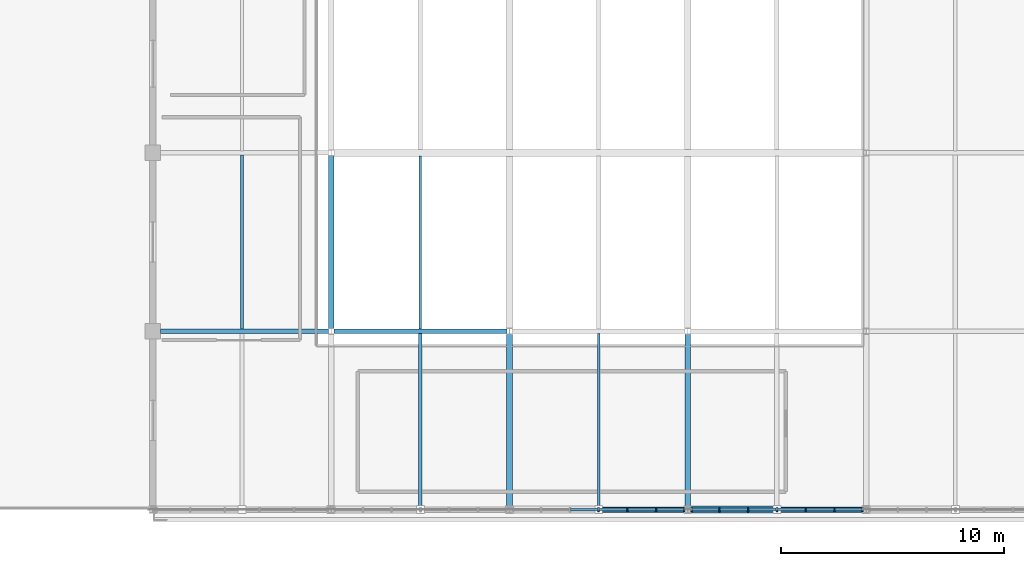
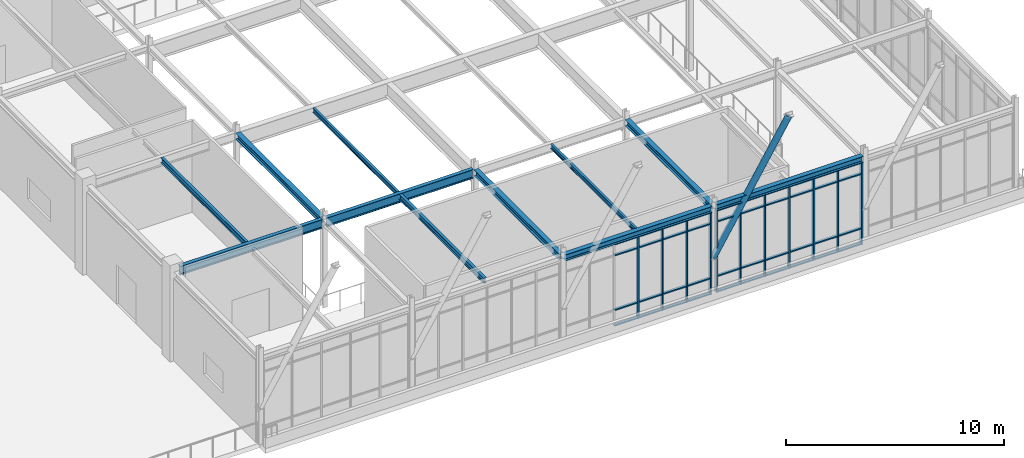
# One storey, part 49 of 108: 52 members, 11 beams, 2 elements without a shape of their own.
"""IFC4 building model written with IfcOpenShell, lengths in metres."""

from ifc_helpers import new_model, si_unit, direction, frame, origin, origin_2d, place, context, subcontext, project, spatial, rectangle, hollow_circle, i_section, extrude, material, material_profile, profile_set, type_object, element, aggregate, save


model = new_model("IFC4")

# Units and contexts
model_context = context("Model", 3, precision=1e-05, world=origin(), true_north=direction((0.0, 1.0)))
body_context = subcontext(model_context, "Body", "Model", "MODEL_VIEW")
ifc_project = project(units=[si_unit("LENGTHUNIT", "METRE"), si_unit("AREAUNIT", "SQUARE_METRE"), si_unit("VOLUMEUNIT", "CUBIC_METRE"), si_unit("PLANEANGLEUNIT", "RADIAN"), si_unit("MASSUNIT", "GRAM", prefix="KILO")], contexts=[model_context])

# Site, building, storey
site_placement = place(None, origin())
site = spatial("IfcSite", under=ifc_project, at=site_placement, CompositionType="ELEMENT")
building_placement = place(site_placement, origin())
building = spatial("IfcBuilding", under=site, at=building_placement, Name="Zhaolan Boulevard Law Courts", CompositionType="ELEMENT")
storey_placement = place(building_placement, frame((0.0, 0.0, 10.800048828125)))
storey = spatial("IfcBuildingStorey", under=building, at=storey_placement, Name="L02", CompositionType="ELEMENT", Elevation=10.800048828125)

# Curtain wall, members
ifc_material_1 = material(Name="Thermally broken aluminium and low-E glazing", Category="aluminium")
curtain_wall_type_1 = type_object("IfcCurtainWallType", Name="CURTAIN WALL M12", PredefinedType="USERDEFINED", material=ifc_material_1)
curtain_wall_1_placement = place(storey_placement, origin())
curtain_wall_1 = element("IfcCurtainWall", 1, at=curtain_wall_1_placement, inside=storey, type_object=curtain_wall_type_1, Name="Curtain Wall CW-L02-084", ObjectType="CURTAIN WALL", PredefinedType="USERDEFINED")
ifc_material_2 = material(Name="Fluorocarbon-coated aluminium 6063-T6", Category="aluminium")
ifc_material_profile_1 = material_profile(ifc_material_2, rectangle(XDim=0.179931640625, YDim=0.06494140625, at=origin_2d()), Name="AL65x180")
ifc_profile_set_1 = profile_set([ifc_material_profile_1], Name="Fluorocarbon-coated aluminium 6063-T6")
member_type_1 = type_object("IfcMemberType", Name="CWMULLION 65X180", PredefinedType="MULLION", material=ifc_profile_set_1)
member_1_placement = place(storey_placement, frame((144.0, 6.0, 0.0), z_axis=(0.0, 0.0, 1.0), x_axis=(0.0, 1.0, 0.0)))
member_1 = element("IfcMember", 2, at=member_1_placement, type_object=member_type_1, Name="CW-L02-084 mullion 4", PredefinedType="MULLION", context=body_context, shape_type="SweptSolid", body=[
    extrude(rectangle(XDim=0.179931640625, YDim=0.06494140625, at=origin_2d()), origin(), (0.0, 0.0, 1.0), 4.60302734375),
])
member_2_placement = place(storey_placement, frame((145.291015625, 6.0, 0.0), z_axis=(0.0, 0.0, 1.0), x_axis=(0.0, 1.0, 0.0)))
member_2 = element("IfcMember", 3, at=member_2_placement, type_object=member_type_1, Name="CW-L02-084 mullion 5", PredefinedType="MULLION", context=body_context, shape_type="SweptSolid", body=[
    extrude(rectangle(XDim=0.179931640625, YDim=0.06494140625, at=origin_2d()), origin(), (0.0, 0.0, 1.0), 4.60302734375),
])
member_3_placement = place(storey_placement, frame((146.58203125, 6.0, 0.0), z_axis=(0.0, 0.0, 1.0), x_axis=(0.0, 1.0, 0.0)))
member_3 = element("IfcMember", 4, at=member_3_placement, type_object=member_type_1, Name="CW-L02-084 mullion 6", PredefinedType="MULLION", context=body_context, shape_type="SweptSolid", body=[
    extrude(rectangle(XDim=0.179931640625, YDim=0.06494140625, at=origin_2d()), origin(), (0.0, 0.0, 1.0), 4.60302734375),
])
member_4_placement = place(storey_placement, frame((147.840576171875, 6.0, 0.0), z_axis=(0.0, 0.0, 1.0), x_axis=(0.0, 1.0, 0.0)))
member_4 = element("IfcMember", 5, at=member_4_placement, type_object=member_type_1, Name="CW-L02-084 mullion 7", PredefinedType="MULLION", context=body_context, shape_type="SweptSolid", body=[
    extrude(rectangle(XDim=0.179931640625, YDim=0.06494140625, at=origin_2d()), origin(), (0.0, 0.0, 1.0), 4.60302734375),
])

ifc_material_3 = material(Name="Thermally broken aluminium and low-E glazing", Category="aluminium")
curtain_wall_type_2 = type_object("IfcCurtainWallType", Name="CURTAIN WALL M13", PredefinedType="USERDEFINED", material=ifc_material_3)
curtain_wall_2_placement = place(storey_placement, origin())
curtain_wall_2 = element("IfcCurtainWall", 6, at=curtain_wall_2_placement, inside=storey, type_object=curtain_wall_type_2, Name="Curtain Wall CW-L02-085", ObjectType="CURTAIN WALL", PredefinedType="USERDEFINED")
member_5_placement = place(storey_placement, frame((148.159423828125, 6.0, 0.0), z_axis=(0.0, 0.0, 1.0), x_axis=(0.0, 1.0, 0.0)))
member_5 = element("IfcMember", 7, at=member_5_placement, type_object=member_type_1, Name="CW-L02-085 mullion 1", PredefinedType="MULLION", context=body_context, shape_type="SweptSolid", body=[
    extrude(rectangle(XDim=0.179931640625, YDim=0.06494140625, at=origin_2d()), origin(), (0.0, 0.0, 1.0), 4.60302734375),
])
member_6_placement = place(storey_placement, frame((149.41796875, 6.0, 0.0), z_axis=(0.0, 0.0, 1.0), x_axis=(0.0, 1.0, 0.0)))
member_6 = element("IfcMember", 8, at=member_6_placement, type_object=member_type_1, Name="CW-L02-085 mullion 2", PredefinedType="MULLION", context=body_context, shape_type="SweptSolid", body=[
    extrude(rectangle(XDim=0.179931640625, YDim=0.06494140625, at=origin_2d()), origin(), (0.0, 0.0, 1.0), 4.60302734375),
])
member_7_placement = place(storey_placement, frame((150.708984375, 6.0, 0.0), z_axis=(0.0, 0.0, 1.0), x_axis=(0.0, 1.0, 0.0)))
member_7 = element("IfcMember", 9, at=member_7_placement, type_object=member_type_1, Name="CW-L02-085 mullion 3", PredefinedType="MULLION", context=body_context, shape_type="SweptSolid", body=[
    extrude(rectangle(XDim=0.179931640625, YDim=0.06494140625, at=origin_2d()), origin(), (0.0, 0.0, 1.0), 4.60302734375),
])
member_8_placement = place(storey_placement, frame((152.0, 6.0, 0.0), z_axis=(0.0, 0.0, 1.0), x_axis=(0.0, 1.0, 0.0)))
member_8 = element("IfcMember", 10, at=member_8_placement, type_object=member_type_1, Name="CW-L02-085 mullion 4", PredefinedType="MULLION", context=body_context, shape_type="SweptSolid", body=[
    extrude(rectangle(XDim=0.179931640625, YDim=0.06494140625, at=origin_2d()), origin(), (0.0, 0.0, 1.0), 4.60302734375),
])
member_9_placement = place(storey_placement, frame((153.291015625, 6.0, 0.0), z_axis=(0.0, 0.0, 1.0), x_axis=(0.0, 1.0, 0.0)))
member_9 = element("IfcMember", 11, at=member_9_placement, type_object=member_type_1, Name="CW-L02-085 mullion 5", PredefinedType="MULLION", context=body_context, shape_type="SweptSolid", body=[
    extrude(rectangle(XDim=0.179931640625, YDim=0.06494140625, at=origin_2d()), origin(), (0.0, 0.0, 1.0), 4.60302734375),
])
member_10_placement = place(storey_placement, frame((154.58203125, 6.0, 0.0), z_axis=(0.0, 0.0, 1.0), x_axis=(0.0, 1.0, 0.0)))
member_10 = element("IfcMember", 12, at=member_10_placement, type_object=member_type_1, Name="CW-L02-085 mullion 6", PredefinedType="MULLION", context=body_context, shape_type="SweptSolid", body=[
    extrude(rectangle(XDim=0.179931640625, YDim=0.06494140625, at=origin_2d()), origin(), (0.0, 0.0, 1.0), 4.60302734375),
])
member_11_placement = place(storey_placement, frame((155.840576171875, 6.0, 0.0), z_axis=(0.0, 0.0, 1.0), x_axis=(0.0, 1.0, 0.0)))
member_11 = element("IfcMember", 13, at=member_11_placement, type_object=member_type_1, Name="CW-L02-085 mullion 7", PredefinedType="MULLION", context=body_context, shape_type="SweptSolid", body=[
    extrude(rectangle(XDim=0.179931640625, YDim=0.06494140625, at=origin_2d()), origin(), (0.0, 0.0, 1.0), 4.60302734375),
])

# Member
ifc_material_4 = material(Name="Fluorocarbon-coated aluminium 6063-T6", Category="aluminium")
ifc_material_profile_2 = material_profile(ifc_material_4, rectangle(XDim=0.139892578125, YDim=0.06494140625, at=origin_2d()), Name="AL65x140")
ifc_profile_set_2 = profile_set([ifc_material_profile_2], Name="Fluorocarbon-coated aluminium 6063-T6")
member_type_2 = type_object("IfcMemberType", Name="CWTRANSOM 65X140", PredefinedType="USERDEFINED", material=ifc_profile_set_2)
member_12_placement = place(storey_placement, frame((142.741455078125, 6.0, 0.032470703125), z_axis=(1.0, 0.0, 0.0), x_axis=(0.0, 1.0, 0.0)))
member_12 = element("IfcMember", 14, at=member_12_placement, type_object=member_type_2, Name="CW-L02-084 transom 3.1", ObjectType="TRANSOM", PredefinedType="USERDEFINED", context=body_context, shape_type="SweptSolid", body=[
    extrude(rectangle(XDim=0.139892578125, YDim=0.06494140625, at=origin_2d()), origin(), (0.0, 0.0, 1.0), 1.22607421875),
])

member_13_placement = place(storey_placement, frame((142.741455078125, 6.0, 0.89990234375), z_axis=(1.0, 0.0, 0.0), x_axis=(0.0, 1.0, 0.0)))
member_13 = element("IfcMember", 15, at=member_13_placement, type_object=member_type_2, Name="CW-L02-084 transom 3.2", ObjectType="TRANSOM", PredefinedType="USERDEFINED", context=body_context, shape_type="SweptSolid", body=[
    extrude(rectangle(XDim=0.139892578125, YDim=0.06494140625, at=origin_2d()), origin(), (0.0, 0.0, 1.0), 1.22607421875),
])

member_14_placement = place(storey_placement, frame((142.741455078125, 6.0, 3.952880859375), z_axis=(1.0, 0.0, 0.0), x_axis=(0.0, 1.0, 0.0)))
member_14 = element("IfcMember", 16, at=member_14_placement, type_object=member_type_2, Name="CW-L02-084 transom 3.3", ObjectType="TRANSOM", PredefinedType="USERDEFINED", context=body_context, shape_type="SweptSolid", body=[
    extrude(rectangle(XDim=0.139892578125, YDim=0.06494140625, at=origin_2d()), origin(), (0.0, 0.0, 1.0), 1.22607421875),
])

member_15_placement = place(storey_placement, frame((142.741455078125, 6.0, 4.570556640625), z_axis=(1.0, 0.0, 0.0), x_axis=(0.0, 1.0, 0.0)))
member_15 = element("IfcMember", 17, at=member_15_placement, type_object=member_type_2, Name="CW-L02-084 transom 3.4", ObjectType="TRANSOM", PredefinedType="USERDEFINED", context=body_context, shape_type="SweptSolid", body=[
    extrude(rectangle(XDim=0.139892578125, YDim=0.06494140625, at=origin_2d()), origin(), (0.0, 0.0, 1.0), 1.22607421875),
])

member_16_placement = place(storey_placement, frame((144.032470703125, 6.0, 0.032470703125), z_axis=(1.0, 0.0, 0.0), x_axis=(0.0, 1.0, 0.0)))
member_16 = element("IfcMember", 18, at=member_16_placement, type_object=member_type_2, Name="CW-L02-084 transom 4.1", ObjectType="TRANSOM", PredefinedType="USERDEFINED", context=body_context, shape_type="SweptSolid", body=[
    extrude(rectangle(XDim=0.139892578125, YDim=0.06494140625, at=origin_2d()), origin(), (0.0, 0.0, 1.0), 1.22607421875),
])

member_17_placement = place(storey_placement, frame((144.032470703125, 6.0, 0.89990234375), z_axis=(1.0, 0.0, 0.0), x_axis=(0.0, 1.0, 0.0)))
member_17 = element("IfcMember", 19, at=member_17_placement, type_object=member_type_2, Name="CW-L02-084 transom 4.2", ObjectType="TRANSOM", PredefinedType="USERDEFINED", context=body_context, shape_type="SweptSolid", body=[
    extrude(rectangle(XDim=0.139892578125, YDim=0.06494140625, at=origin_2d()), origin(), (0.0, 0.0, 1.0), 1.22607421875),
])

member_18_placement = place(storey_placement, frame((144.032470703125, 6.0, 3.952880859375), z_axis=(1.0, 0.0, 0.0), x_axis=(0.0, 1.0, 0.0)))
member_18 = element("IfcMember", 20, at=member_18_placement, type_object=member_type_2, Name="CW-L02-084 transom 4.3", ObjectType="TRANSOM", PredefinedType="USERDEFINED", context=body_context, shape_type="SweptSolid", body=[
    extrude(rectangle(XDim=0.139892578125, YDim=0.06494140625, at=origin_2d()), origin(), (0.0, 0.0, 1.0), 1.22607421875),
])

member_19_placement = place(storey_placement, frame((144.032470703125, 6.0, 4.570556640625), z_axis=(1.0, 0.0, 0.0), x_axis=(0.0, 1.0, 0.0)))
member_19 = element("IfcMember", 21, at=member_19_placement, type_object=member_type_2, Name="CW-L02-084 transom 4.4", ObjectType="TRANSOM", PredefinedType="USERDEFINED", context=body_context, shape_type="SweptSolid", body=[
    extrude(rectangle(XDim=0.139892578125, YDim=0.06494140625, at=origin_2d()), origin(), (0.0, 0.0, 1.0), 1.22607421875),
])

member_20_placement = place(storey_placement, frame((145.323486328125, 6.0, 0.032470703125), z_axis=(1.0, 0.0, 0.0), x_axis=(0.0, 1.0, 0.0)))
member_20 = element("IfcMember", 22, at=member_20_placement, type_object=member_type_2, Name="CW-L02-084 transom 5.1", ObjectType="TRANSOM", PredefinedType="USERDEFINED", context=body_context, shape_type="SweptSolid", body=[
    extrude(rectangle(XDim=0.139892578125, YDim=0.06494140625, at=origin_2d()), origin(), (0.0, 0.0, 1.0), 1.22607421875),
])

member_21_placement = place(storey_placement, frame((145.323486328125, 6.0, 0.89990234375), z_axis=(1.0, 0.0, 0.0), x_axis=(0.0, 1.0, 0.0)))
member_21 = element("IfcMember", 23, at=member_21_placement, type_object=member_type_2, Name="CW-L02-084 transom 5.2", ObjectType="TRANSOM", PredefinedType="USERDEFINED", context=body_context, shape_type="SweptSolid", body=[
    extrude(rectangle(XDim=0.139892578125, YDim=0.06494140625, at=origin_2d()), origin(), (0.0, 0.0, 1.0), 1.22607421875),
])

member_22_placement = place(storey_placement, frame((145.323486328125, 6.0, 3.952880859375), z_axis=(1.0, 0.0, 0.0), x_axis=(0.0, 1.0, 0.0)))
member_22 = element("IfcMember", 24, at=member_22_placement, type_object=member_type_2, Name="CW-L02-084 transom 5.3", ObjectType="TRANSOM", PredefinedType="USERDEFINED", context=body_context, shape_type="SweptSolid", body=[
    extrude(rectangle(XDim=0.139892578125, YDim=0.06494140625, at=origin_2d()), origin(), (0.0, 0.0, 1.0), 1.22607421875),
])

member_23_placement = place(storey_placement, frame((145.323486328125, 6.0, 4.570556640625), z_axis=(1.0, 0.0, 0.0), x_axis=(0.0, 1.0, 0.0)))
member_23 = element("IfcMember", 25, at=member_23_placement, type_object=member_type_2, Name="CW-L02-084 transom 5.4", ObjectType="TRANSOM", PredefinedType="USERDEFINED", context=body_context, shape_type="SweptSolid", body=[
    extrude(rectangle(XDim=0.139892578125, YDim=0.06494140625, at=origin_2d()), origin(), (0.0, 0.0, 1.0), 1.22607421875),
])

member_24_placement = place(storey_placement, frame((146.614501953125, 6.0, 0.032470703125), z_axis=(1.0, 0.0, 0.0), x_axis=(0.0, 1.0, 0.0)))
member_24 = element("IfcMember", 26, at=member_24_placement, type_object=member_type_2, Name="CW-L02-084 transom 6.1", ObjectType="TRANSOM", PredefinedType="USERDEFINED", context=body_context, shape_type="SweptSolid", body=[
    extrude(rectangle(XDim=0.139892578125, YDim=0.06494140625, at=origin_2d()), origin(), (0.0, 0.0, 1.0), 1.193603515625),
])

member_25_placement = place(storey_placement, frame((146.614501953125, 6.0, 0.89990234375), z_axis=(1.0, 0.0, 0.0), x_axis=(0.0, 1.0, 0.0)))
member_25 = element("IfcMember", 27, at=member_25_placement, type_object=member_type_2, Name="CW-L02-084 transom 6.2", ObjectType="TRANSOM", PredefinedType="USERDEFINED", context=body_context, shape_type="SweptSolid", body=[
    extrude(rectangle(XDim=0.139892578125, YDim=0.06494140625, at=origin_2d()), origin(), (0.0, 0.0, 1.0), 1.193603515625),
])

member_26_placement = place(storey_placement, frame((146.614501953125, 6.0, 3.952880859375), z_axis=(1.0, 0.0, 0.0), x_axis=(0.0, 1.0, 0.0)))
member_26 = element("IfcMember", 28, at=member_26_placement, type_object=member_type_2, Name="CW-L02-084 transom 6.3", ObjectType="TRANSOM", PredefinedType="USERDEFINED", context=body_context, shape_type="SweptSolid", body=[
    extrude(rectangle(XDim=0.139892578125, YDim=0.06494140625, at=origin_2d()), origin(), (0.0, 0.0, 1.0), 1.193603515625),
])

member_27_placement = place(storey_placement, frame((146.614501953125, 6.0, 4.570556640625), z_axis=(1.0, 0.0, 0.0), x_axis=(0.0, 1.0, 0.0)))
member_27 = element("IfcMember", 29, at=member_27_placement, type_object=member_type_2, Name="CW-L02-084 transom 6.4", ObjectType="TRANSOM", PredefinedType="USERDEFINED", context=body_context, shape_type="SweptSolid", body=[
    extrude(rectangle(XDim=0.139892578125, YDim=0.06494140625, at=origin_2d()), origin(), (0.0, 0.0, 1.0), 1.193603515625),
])

aggregate(curtain_wall_1, [member_1, member_2, member_3, member_4, member_12, member_13, member_14, member_15, member_16, member_17, member_18, member_19, member_20, member_21, member_22, member_23, member_24, member_25, member_26, member_27])

member_28_placement = place(storey_placement, frame((148.19189453125, 6.0, 0.032470703125), z_axis=(1.0, 0.0, 0.0), x_axis=(0.0, 1.0, 0.0)))
member_28 = element("IfcMember", 30, at=member_28_placement, type_object=member_type_2, Name="CW-L02-085 transom 1.1", ObjectType="TRANSOM", PredefinedType="USERDEFINED", context=body_context, shape_type="SweptSolid", body=[
    extrude(rectangle(XDim=0.139892578125, YDim=0.06494140625, at=origin_2d()), origin(), (0.0, 0.0, 1.0), 1.193603515625),
])

member_29_placement = place(storey_placement, frame((148.19189453125, 6.0, 0.89990234375), z_axis=(1.0, 0.0, 0.0), x_axis=(0.0, 1.0, 0.0)))
member_29 = element("IfcMember", 31, at=member_29_placement, type_object=member_type_2, Name="CW-L02-085 transom 1.2", ObjectType="TRANSOM", PredefinedType="USERDEFINED", context=body_context, shape_type="SweptSolid", body=[
    extrude(rectangle(XDim=0.139892578125, YDim=0.06494140625, at=origin_2d()), origin(), (0.0, 0.0, 1.0), 1.193603515625),
])

member_30_placement = place(storey_placement, frame((148.19189453125, 6.0, 3.952880859375), z_axis=(1.0, 0.0, 0.0), x_axis=(0.0, 1.0, 0.0)))
member_30 = element("IfcMember", 32, at=member_30_placement, type_object=member_type_2, Name="CW-L02-085 transom 1.3", ObjectType="TRANSOM", PredefinedType="USERDEFINED", context=body_context, shape_type="SweptSolid", body=[
    extrude(rectangle(XDim=0.139892578125, YDim=0.06494140625, at=origin_2d()), origin(), (0.0, 0.0, 1.0), 1.193603515625),
])

member_31_placement = place(storey_placement, frame((148.19189453125, 6.0, 4.570556640625), z_axis=(1.0, 0.0, 0.0), x_axis=(0.0, 1.0, 0.0)))
member_31 = element("IfcMember", 33, at=member_31_placement, type_object=member_type_2, Name="CW-L02-085 transom 1.4", ObjectType="TRANSOM", PredefinedType="USERDEFINED", context=body_context, shape_type="SweptSolid", body=[
    extrude(rectangle(XDim=0.139892578125, YDim=0.06494140625, at=origin_2d()), origin(), (0.0, 0.0, 1.0), 1.193603515625),
])

member_32_placement = place(storey_placement, frame((149.450439453125, 6.0, 0.032470703125), z_axis=(1.0, 0.0, 0.0), x_axis=(0.0, 1.0, 0.0)))
member_32 = element("IfcMember", 34, at=member_32_placement, type_object=member_type_2, Name="CW-L02-085 transom 2.1", ObjectType="TRANSOM", PredefinedType="USERDEFINED", context=body_context, shape_type="SweptSolid", body=[
    extrude(rectangle(XDim=0.139892578125, YDim=0.06494140625, at=origin_2d()), origin(), (0.0, 0.0, 1.0), 1.22607421875),
])

member_33_placement = place(storey_placement, frame((149.450439453125, 6.0, 0.89990234375), z_axis=(1.0, 0.0, 0.0), x_axis=(0.0, 1.0, 0.0)))
member_33 = element("IfcMember", 35, at=member_33_placement, type_object=member_type_2, Name="CW-L02-085 transom 2.2", ObjectType="TRANSOM", PredefinedType="USERDEFINED", context=body_context, shape_type="SweptSolid", body=[
    extrude(rectangle(XDim=0.139892578125, YDim=0.06494140625, at=origin_2d()), origin(), (0.0, 0.0, 1.0), 1.22607421875),
])

member_34_placement = place(storey_placement, frame((149.450439453125, 6.0, 3.952880859375), z_axis=(1.0, 0.0, 0.0), x_axis=(0.0, 1.0, 0.0)))
member_34 = element("IfcMember", 36, at=member_34_placement, type_object=member_type_2, Name="CW-L02-085 transom 2.3", ObjectType="TRANSOM", PredefinedType="USERDEFINED", context=body_context, shape_type="SweptSolid", body=[
    extrude(rectangle(XDim=0.139892578125, YDim=0.06494140625, at=origin_2d()), origin(), (0.0, 0.0, 1.0), 1.22607421875),
])

member_35_placement = place(storey_placement, frame((149.450439453125, 6.0, 4.570556640625), z_axis=(1.0, 0.0, 0.0), x_axis=(0.0, 1.0, 0.0)))
member_35 = element("IfcMember", 37, at=member_35_placement, type_object=member_type_2, Name="CW-L02-085 transom 2.4", ObjectType="TRANSOM", PredefinedType="USERDEFINED", context=body_context, shape_type="SweptSolid", body=[
    extrude(rectangle(XDim=0.139892578125, YDim=0.06494140625, at=origin_2d()), origin(), (0.0, 0.0, 1.0), 1.22607421875),
])

member_36_placement = place(storey_placement, frame((150.741455078125, 6.0, 0.032470703125), z_axis=(1.0, 0.0, 0.0), x_axis=(0.0, 1.0, 0.0)))
member_36 = element("IfcMember", 38, at=member_36_placement, type_object=member_type_2, Name="CW-L02-085 transom 3.1", ObjectType="TRANSOM", PredefinedType="USERDEFINED", context=body_context, shape_type="SweptSolid", body=[
    extrude(rectangle(XDim=0.139892578125, YDim=0.06494140625, at=origin_2d()), origin(), (0.0, 0.0, 1.0), 1.22607421875),
])

member_37_placement = place(storey_placement, frame((150.741455078125, 6.0, 0.89990234375), z_axis=(1.0, 0.0, 0.0), x_axis=(0.0, 1.0, 0.0)))
member_37 = element("IfcMember", 39, at=member_37_placement, type_object=member_type_2, Name="CW-L02-085 transom 3.2", ObjectType="TRANSOM", PredefinedType="USERDEFINED", context=body_context, shape_type="SweptSolid", body=[
    extrude(rectangle(XDim=0.139892578125, YDim=0.06494140625, at=origin_2d()), origin(), (0.0, 0.0, 1.0), 1.22607421875),
])

member_38_placement = place(storey_placement, frame((150.741455078125, 6.0, 3.952880859375), z_axis=(1.0, 0.0, 0.0), x_axis=(0.0, 1.0, 0.0)))
member_38 = element("IfcMember", 40, at=member_38_placement, type_object=member_type_2, Name="CW-L02-085 transom 3.3", ObjectType="TRANSOM", PredefinedType="USERDEFINED", context=body_context, shape_type="SweptSolid", body=[
    extrude(rectangle(XDim=0.139892578125, YDim=0.06494140625, at=origin_2d()), origin(), (0.0, 0.0, 1.0), 1.22607421875),
])

member_39_placement = place(storey_placement, frame((150.741455078125, 6.0, 4.570556640625), z_axis=(1.0, 0.0, 0.0), x_axis=(0.0, 1.0, 0.0)))
member_39 = element("IfcMember", 41, at=member_39_placement, type_object=member_type_2, Name="CW-L02-085 transom 3.4", ObjectType="TRANSOM", PredefinedType="USERDEFINED", context=body_context, shape_type="SweptSolid", body=[
    extrude(rectangle(XDim=0.139892578125, YDim=0.06494140625, at=origin_2d()), origin(), (0.0, 0.0, 1.0), 1.22607421875),
])

member_40_placement = place(storey_placement, frame((152.032470703125, 6.0, 0.032470703125), z_axis=(1.0, 0.0, 0.0), x_axis=(0.0, 1.0, 0.0)))
member_40 = element("IfcMember", 42, at=member_40_placement, type_object=member_type_2, Name="CW-L02-085 transom 4.1", ObjectType="TRANSOM", PredefinedType="USERDEFINED", context=body_context, shape_type="SweptSolid", body=[
    extrude(rectangle(XDim=0.139892578125, YDim=0.06494140625, at=origin_2d()), origin(), (0.0, 0.0, 1.0), 1.22607421875),
])

member_41_placement = place(storey_placement, frame((152.032470703125, 6.0, 0.89990234375), z_axis=(1.0, 0.0, 0.0), x_axis=(0.0, 1.0, 0.0)))
member_41 = element("IfcMember", 43, at=member_41_placement, type_object=member_type_2, Name="CW-L02-085 transom 4.2", ObjectType="TRANSOM", PredefinedType="USERDEFINED", context=body_context, shape_type="SweptSolid", body=[
    extrude(rectangle(XDim=0.139892578125, YDim=0.06494140625, at=origin_2d()), origin(), (0.0, 0.0, 1.0), 1.22607421875),
])

member_42_placement = place(storey_placement, frame((152.032470703125, 6.0, 3.952880859375), z_axis=(1.0, 0.0, 0.0), x_axis=(0.0, 1.0, 0.0)))
member_42 = element("IfcMember", 44, at=member_42_placement, type_object=member_type_2, Name="CW-L02-085 transom 4.3", ObjectType="TRANSOM", PredefinedType="USERDEFINED", context=body_context, shape_type="SweptSolid", body=[
    extrude(rectangle(XDim=0.139892578125, YDim=0.06494140625, at=origin_2d()), origin(), (0.0, 0.0, 1.0), 1.22607421875),
])

member_43_placement = place(storey_placement, frame((152.032470703125, 6.0, 4.570556640625), z_axis=(1.0, 0.0, 0.0), x_axis=(0.0, 1.0, 0.0)))
member_43 = element("IfcMember", 45, at=member_43_placement, type_object=member_type_2, Name="CW-L02-085 transom 4.4", ObjectType="TRANSOM", PredefinedType="USERDEFINED", context=body_context, shape_type="SweptSolid", body=[
    extrude(rectangle(XDim=0.139892578125, YDim=0.06494140625, at=origin_2d()), origin(), (0.0, 0.0, 1.0), 1.22607421875),
])

member_44_placement = place(storey_placement, frame((153.323486328125, 6.0, 0.032470703125), z_axis=(1.0, 0.0, 0.0), x_axis=(0.0, 1.0, 0.0)))
member_44 = element("IfcMember", 46, at=member_44_placement, type_object=member_type_2, Name="CW-L02-085 transom 5.1", ObjectType="TRANSOM", PredefinedType="USERDEFINED", context=body_context, shape_type="SweptSolid", body=[
    extrude(rectangle(XDim=0.139892578125, YDim=0.06494140625, at=origin_2d()), origin(), (0.0, 0.0, 1.0), 1.22607421875),
])

member_45_placement = place(storey_placement, frame((153.323486328125, 6.0, 0.89990234375), z_axis=(1.0, 0.0, 0.0), x_axis=(0.0, 1.0, 0.0)))
member_45 = element("IfcMember", 47, at=member_45_placement, type_object=member_type_2, Name="CW-L02-085 transom 5.2", ObjectType="TRANSOM", PredefinedType="USERDEFINED", context=body_context, shape_type="SweptSolid", body=[
    extrude(rectangle(XDim=0.139892578125, YDim=0.06494140625, at=origin_2d()), origin(), (0.0, 0.0, 1.0), 1.22607421875),
])

member_46_placement = place(storey_placement, frame((153.323486328125, 6.0, 3.952880859375), z_axis=(1.0, 0.0, 0.0), x_axis=(0.0, 1.0, 0.0)))
member_46 = element("IfcMember", 48, at=member_46_placement, type_object=member_type_2, Name="CW-L02-085 transom 5.3", ObjectType="TRANSOM", PredefinedType="USERDEFINED", context=body_context, shape_type="SweptSolid", body=[
    extrude(rectangle(XDim=0.139892578125, YDim=0.06494140625, at=origin_2d()), origin(), (0.0, 0.0, 1.0), 1.22607421875),
])

member_47_placement = place(storey_placement, frame((153.323486328125, 6.0, 4.570556640625), z_axis=(1.0, 0.0, 0.0), x_axis=(0.0, 1.0, 0.0)))
member_47 = element("IfcMember", 49, at=member_47_placement, type_object=member_type_2, Name="CW-L02-085 transom 5.4", ObjectType="TRANSOM", PredefinedType="USERDEFINED", context=body_context, shape_type="SweptSolid", body=[
    extrude(rectangle(XDim=0.139892578125, YDim=0.06494140625, at=origin_2d()), origin(), (0.0, 0.0, 1.0), 1.22607421875),
])

member_48_placement = place(storey_placement, frame((154.614501953125, 6.0, 0.032470703125), z_axis=(1.0, 0.0, 0.0), x_axis=(0.0, 1.0, 0.0)))
member_48 = element("IfcMember", 50, at=member_48_placement, type_object=member_type_2, Name="CW-L02-085 transom 6.1", ObjectType="TRANSOM", PredefinedType="USERDEFINED", context=body_context, shape_type="SweptSolid", body=[
    extrude(rectangle(XDim=0.139892578125, YDim=0.06494140625, at=origin_2d()), origin(), (0.0, 0.0, 1.0), 1.193603515625),
])

member_49_placement = place(storey_placement, frame((154.614501953125, 6.0, 0.89990234375), z_axis=(1.0, 0.0, 0.0), x_axis=(0.0, 1.0, 0.0)))
member_49 = element("IfcMember", 51, at=member_49_placement, type_object=member_type_2, Name="CW-L02-085 transom 6.2", ObjectType="TRANSOM", PredefinedType="USERDEFINED", context=body_context, shape_type="SweptSolid", body=[
    extrude(rectangle(XDim=0.139892578125, YDim=0.06494140625, at=origin_2d()), origin(), (0.0, 0.0, 1.0), 1.193603515625),
])

member_50_placement = place(storey_placement, frame((154.614501953125, 6.0, 3.952880859375), z_axis=(1.0, 0.0, 0.0), x_axis=(0.0, 1.0, 0.0)))
member_50 = element("IfcMember", 52, at=member_50_placement, type_object=member_type_2, Name="CW-L02-085 transom 6.3", ObjectType="TRANSOM", PredefinedType="USERDEFINED", context=body_context, shape_type="SweptSolid", body=[
    extrude(rectangle(XDim=0.139892578125, YDim=0.06494140625, at=origin_2d()), origin(), (0.0, 0.0, 1.0), 1.193603515625),
])

member_51_placement = place(storey_placement, frame((154.614501953125, 6.0, 4.570556640625), z_axis=(1.0, 0.0, 0.0), x_axis=(0.0, 1.0, 0.0)))
member_51 = element("IfcMember", 53, at=member_51_placement, type_object=member_type_2, Name="CW-L02-085 transom 6.4", ObjectType="TRANSOM", PredefinedType="USERDEFINED", context=body_context, shape_type="SweptSolid", body=[
    extrude(rectangle(XDim=0.139892578125, YDim=0.06494140625, at=origin_2d()), origin(), (0.0, 0.0, 1.0), 1.193603515625),
])

aggregate(curtain_wall_2, [member_5, member_6, member_7, member_8, member_9, member_10, member_11, member_28, member_29, member_30, member_31, member_32, member_33, member_34, member_35, member_36, member_37, member_38, member_39, member_40, member_41, member_42, member_43, member_44, member_45, member_46, member_47, member_48, member_49, member_50, member_51])

# Beams
ifc_material_5 = material(Name="Structural steel Q355B", Category="steel")
ifc_material_profile_3 = material_profile(ifc_material_5, i_section(OverallWidth=0.25, OverallDepth=0.340087890625, WebThickness=0.009033203125, FlangeThickness=0.013916015625, FilletRadius=0.01611328125, at=origin_2d()), Name="HM340x250")
ifc_profile_set_3 = profile_set([ifc_material_profile_3], Name="Structural steel Q355B")
beam_type_1 = type_object("IfcBeamType", Name="GIRDER HM340", PredefinedType="BEAM", material=ifc_profile_set_3)
for number, where, z_axis, x_axis, name in (
    (54, (132.0, 14.12109375, 4.787841796875), (0.0, 1.0, 0.0), (-1.0, 0.0, 0.0), "Beam BY-L03-17-C-D"),
    (55, (140.0, 6.12109375, 4.787841796875), (0.0, 1.0, 0.0), (-1.0, 0.0, 0.0), "Beam BY-L03-18-B-C"),
    (56, (148.0, 6.12109375, 4.787841796875), (0.0, 1.0, 0.0), (-1.0, 0.0, 0.0), "Beam BY-L03-19-B-C"),
):
    element("IfcBeam", number, at=place(storey_placement, frame(where, z_axis=z_axis, x_axis=x_axis)), inside=storey, type_object=beam_type_1, Name=name, PredefinedType="BEAM", context=body_context, shape_type="SweptSolid", body=[
        extrude(i_section(OverallWidth=0.25, OverallDepth=0.340087890625, WebThickness=0.009033203125, FlangeThickness=0.013916015625, FilletRadius=0.01611328125, at=origin_2d()), origin(), (0.0, 0.0, 1.0), 7.7578125),
    ])
ifc_material_6 = material(Name="Structural steel Q355B", Category="steel")
ifc_material_profile_4 = material_profile(ifc_material_6, i_section(OverallWidth=0.199951171875, OverallDepth=0.5, WebThickness=0.010009765625, FlangeThickness=0.01611328125, FilletRadius=0.01806640625, at=origin_2d()), Name="HN500x200")
ifc_profile_set_4 = profile_set([ifc_material_profile_4], Name="Structural steel Q355B")
beam_type_2 = type_object("IfcBeamType", Name="GIRDER HN500", PredefinedType="BEAM", material=ifc_profile_set_4)
beam_1_placement = place(storey_placement, frame((124.345947265625, 14.0, 4.7080078125), z_axis=(1.0, 0.0, 0.0), x_axis=(0.0, 1.0, 0.0)))
element("IfcBeam", 57, at=beam_1_placement, inside=storey, type_object=beam_type_2, Name="Beam BX-L03-16-17-C", PredefinedType="BEAM", context=body_context, shape_type="SweptSolid", body=[
    extrude(i_section(OverallWidth=0.199951171875, OverallDepth=0.5, WebThickness=0.010009765625, FlangeThickness=0.01611328125, FilletRadius=0.01806640625, at=origin_2d()), origin(), (0.0, 0.0, 1.0), 7.532958984375),
])
beam_2_placement = place(storey_placement, frame((132.12109375, 14.0, 4.7080078125), z_axis=(1.0, 0.0, 0.0), x_axis=(0.0, 1.0, 0.0)))
element("IfcBeam", 58, at=beam_2_placement, inside=storey, type_object=beam_type_2, Name="Beam BX-L03-17-18-C", PredefinedType="BEAM", context=body_context, shape_type="SweptSolid", body=[
    extrude(i_section(OverallWidth=0.199951171875, OverallDepth=0.5, WebThickness=0.010009765625, FlangeThickness=0.01611328125, FilletRadius=0.01806640625, at=origin_2d()), origin(), (0.0, 0.0, 1.0), 7.7578125),
])
ifc_material_7 = material(Name="Structural steel Q355B", Category="steel")
ifc_material_profile_5 = material_profile(ifc_material_7, i_section(OverallWidth=0.125, OverallDepth=0.25, WebThickness=0.006103515625, FlangeThickness=0.009033203125, FilletRadius=0.010009765625, at=origin_2d()), Name="HN250x125")
ifc_profile_set_5 = profile_set([ifc_material_profile_5], Name="Structural steel Q355B")
beam_type_3 = type_object("IfcBeamType", Name="JOIST HN250", PredefinedType="JOIST", material=ifc_profile_set_5)
beam_3_placement = place(storey_placement, frame((136.0, 14.095947265625, 4.8330078125), z_axis=(0.0, 1.0, 0.0), x_axis=(-1.0, 0.0, 0.0)))
element("IfcBeam", 59, at=beam_3_placement, inside=storey, type_object=beam_type_3, Name="Composite Joist J-L03-17C", PredefinedType="JOIST", context=body_context, shape_type="SweptSolid", body=[
    extrude(i_section(OverallWidth=0.125, OverallDepth=0.25, WebThickness=0.006103515625, FlangeThickness=0.009033203125, FilletRadius=0.010009765625, at=origin_2d()), origin(), (0.0, 0.0, 1.0), 7.758056640625),
])
beam_4_placement = place(storey_placement, frame((144.0, 6.12109375, 4.8330078125), z_axis=(0.0, 1.0, 0.0), x_axis=(-1.0, 0.0, 0.0)))
element("IfcBeam", 60, at=beam_4_placement, inside=storey, type_object=beam_type_3, Name="Composite Joist J-L03-18B", PredefinedType="JOIST", context=body_context, shape_type="SweptSolid", body=[
    extrude(i_section(OverallWidth=0.125, OverallDepth=0.25, WebThickness=0.006103515625, FlangeThickness=0.009033203125, FilletRadius=0.010009765625, at=origin_2d()), origin(), (0.0, 0.0, 1.0), 7.782958984375),
])
ifc_material_8 = material(Name="Structural steel Q355B", Category="steel")
ifc_material_profile_6 = material_profile(ifc_material_8, i_section(OverallWidth=0.14990234375, OverallDepth=0.300048828125, WebThickness=0.006591796875, FlangeThickness=0.009033203125, FilletRadius=0.010986328125, at=origin_2d()), Name="HN300x150")
ifc_profile_set_6 = profile_set([ifc_material_profile_6], Name="Structural steel Q355B")
beam_type_4 = type_object("IfcBeamType", Name="JOIST HN300", PredefinedType="JOIST", material=ifc_profile_set_6)
beam_5_placement = place(storey_placement, frame((128.0, 14.095947265625, 4.807861328125), z_axis=(0.0, 1.0, 0.0), x_axis=(-1.0, 0.0, 0.0)))
element("IfcBeam", 61, at=beam_5_placement, inside=storey, type_object=beam_type_4, Name="Composite Joist J-L03-16C", PredefinedType="JOIST", context=body_context, shape_type="SweptSolid", body=[
    extrude(i_section(OverallWidth=0.14990234375, OverallDepth=0.300048828125, WebThickness=0.006591796875, FlangeThickness=0.009033203125, FilletRadius=0.010986328125, at=origin_2d()), origin(), (0.0, 0.0, 1.0), 7.80810546875),
])
beam_6_placement = place(storey_placement, frame((136.0, 6.12109375, 4.807861328125), z_axis=(0.0, 1.0, 0.0), x_axis=(-1.0, 0.0, 0.0)))
element("IfcBeam", 62, at=beam_6_placement, inside=storey, type_object=beam_type_4, Name="Composite Joist J-L03-17B", PredefinedType="JOIST", context=body_context, shape_type="SweptSolid", body=[
    extrude(i_section(OverallWidth=0.14990234375, OverallDepth=0.300048828125, WebThickness=0.006591796875, FlangeThickness=0.009033203125, FilletRadius=0.010986328125, at=origin_2d()), origin(), (0.0, 0.0, 1.0), 7.782958984375),
])

# Member
ifc_material_9 = material(Name="Structural steel Q390B", Category="steel")
ifc_material_profile_7 = material_profile(ifc_material_9, hollow_circle(Radius=0.16259765625, WallThickness=0.011962890625, at=origin_2d()), Name="CHS325x12")
ifc_profile_set_7 = profile_set([ifc_material_profile_7], Name="Structural steel Q390B")
member_type_3 = type_object("IfcMemberType", Name="RAFTER CHS325", PredefinedType="RAFTER", material=ifc_profile_set_7)
member_52_placement = place(storey_placement, frame((148.0, 6.0, 2.0), z_axis=(0.52292874166, 0.0, 0.852376402269), x_axis=(0.0, 1.0, 0.0)))
element("IfcMember", 63, at=member_52_placement, inside=storey, type_object=member_type_3, Name="Folded-Plate Eave Strut FPS-4", PredefinedType="RAFTER", context=body_context, shape_type="SweptSolid", body=[
    extrude(hollow_circle(Radius=0.16259765625, WallThickness=0.011962890625, at=origin_2d()), origin(), (0.0, 0.0, 1.0), 7.649169921875),
])

# Beams
ifc_material_10 = material(Name="Structural steel Q355B", Category="steel")
ifc_material_profile_8 = material_profile(ifc_material_10, i_section(OverallWidth=0.25, OverallDepth=0.340087890625, WebThickness=0.009033203125, FlangeThickness=0.013916015625, FilletRadius=0.01611328125, at=origin_2d()), Name="HM340x250")
ifc_profile_set_8 = profile_set([ifc_material_profile_8], Name="Structural steel Q355B")
beam_type_5 = type_object("IfcBeamType", Name="SPANDREL HM340", PredefinedType="SPANDREL", material=ifc_profile_set_8)
for number, where, z_axis, x_axis, name in (
    (64, (140.12109375, 6.0, 4.787841796875), (1.0, 0.0, 0.0), (0.0, 1.0, 0.0), "Beam BX-L03-18-19-B"),
    (65, (148.12109375, 6.0, 4.787841796875), (1.0, 0.0, 0.0), (0.0, 1.0, 0.0), "Beam BX-L03-19-20-B"),
):
    element("IfcBeam", number, at=place(storey_placement, frame(where, z_axis=z_axis, x_axis=x_axis)), inside=storey, type_object=beam_type_5, Name=name, PredefinedType="SPANDREL", context=body_context, shape_type="SweptSolid", body=[
        extrude(i_section(OverallWidth=0.25, OverallDepth=0.340087890625, WebThickness=0.009033203125, FlangeThickness=0.013916015625, FilletRadius=0.01611328125, at=origin_2d()), origin(), (0.0, 0.0, 1.0), 7.7578125),
    ])

save(model, "model.ifc")
